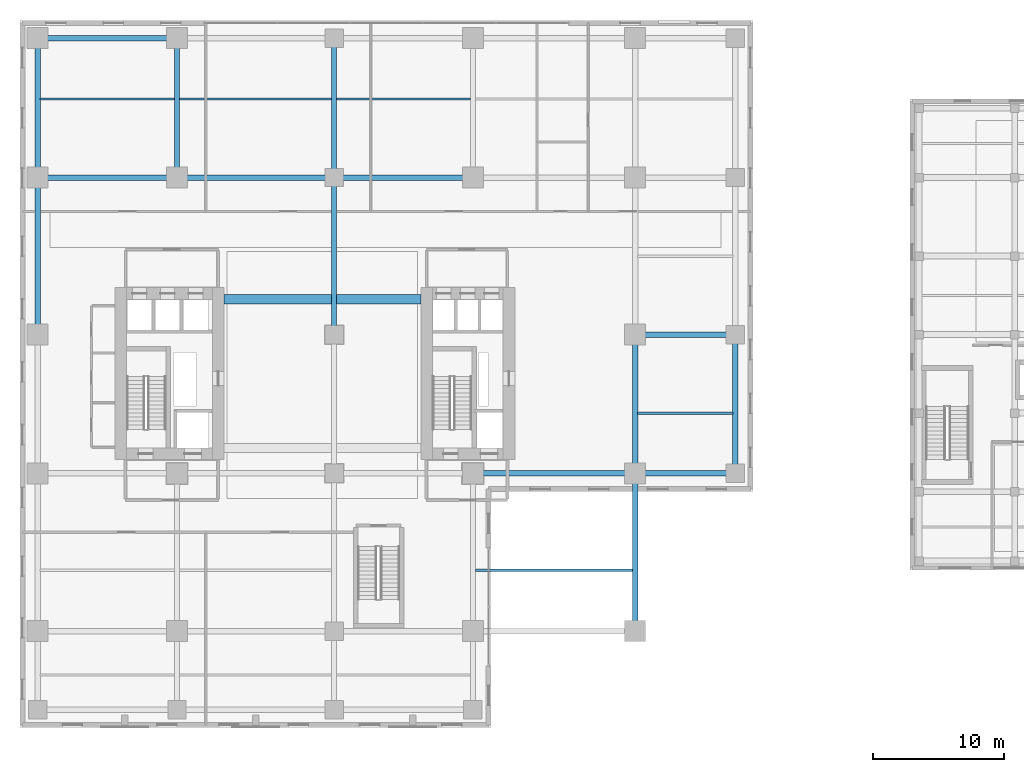
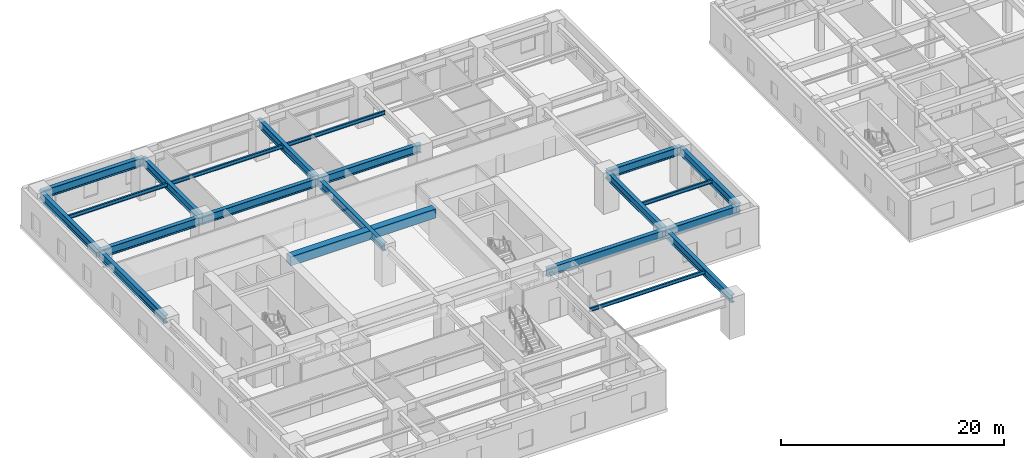
# One storey, part 4 of 28: 21 beams.
"""IFC4 building model written with IfcOpenShell, lengths in metres."""

from ifc_helpers import new_model, si_unit, direction, frame, origin, origin_2d, place, context, subcontext, project, spatial, rectangle, i_section, extrude, source, transform, mapped, material, material_profile, profile_set, type_object, element, save


model = new_model("IFC4")

# Units and contexts
model_context = context("Model", 3, precision=1e-05, world=origin(), true_north=direction((0.0, 1.0)))
body_context = subcontext(model_context, "Body", "Model", "MODEL_VIEW")
ifc_project = project(units=[si_unit("LENGTHUNIT", "METRE"), si_unit("AREAUNIT", "SQUARE_METRE"), si_unit("VOLUMEUNIT", "CUBIC_METRE"), si_unit("PLANEANGLEUNIT", "RADIAN"), si_unit("MASSUNIT", "GRAM", prefix="KILO")], contexts=[model_context])

# Site, building, storey
site_placement = place(None, origin())
site = spatial("IfcSite", under=ifc_project, at=site_placement, CompositionType="ELEMENT")
building_placement = place(site_placement, origin())
building = spatial("IfcBuilding", under=site, at=building_placement, Name="Khoralis Quay Care Tower", CompositionType="ELEMENT")
storey_placement = place(building_placement, frame((0.0, 0.0, 9.0)))
storey = spatial("IfcBuildingStorey", under=building, at=storey_placement, Name="L02", CompositionType="ELEMENT", Elevation=9.0)

# Beams
ifc_material_1 = material(Name="Concrete C80/95", Category="concrete")
ifc_material_profile_1 = material_profile(ifc_material_1, rectangle(XDim=0.699951171875, YDim=1.0, at=origin_2d()), Name="Concrete C80/95")
ifc_profile_set_1 = profile_set([ifc_material_profile_1], Name="Concrete C80/95")
beam_type_1 = type_object("IfcBeamType", Name="CB-RC700X1000", PredefinedType="LINTEL", material=ifc_profile_set_1)
shared_shape_1 = source(origin(), body_context, "Body", "SweptSolid", [
    extrude(rectangle(XDim=0.699951171875, YDim=1.0, at=origin_2d()), origin(), (0.0, 0.0, 1.0), 15.079833984375),
])
beam_1_placement = place(storey_placement, frame((15.570068359375, 26.699951171875, 3.659912109375), z_axis=(1.0, 0.0, 0.0), x_axis=(0.0, 1.0, 0.0)))
element("IfcBeam", 1, at=beam_1_placement, inside=storey, type_object=beam_type_1, Name="L02 North Core Coupling Lintel", PredefinedType="LINTEL", context=body_context, shape_type="MappedRepresentation", body=[
    mapped(shared_shape_1, transform((0.0, 0.0, 0.0), scale=1.0)),
])
ifc_material_2 = material(Name="Steel S355", Category="steel")
ifc_material_profile_2 = material_profile(ifc_material_2, i_section(OverallWidth=0.41796875, OverallDepth=0.912109375, WebThickness=0.019287109375, FlangeThickness=0.031982421875, FilletRadius=0.02392578125, at=origin_2d()), Name="Steel S355")
ifc_profile_set_2 = profile_set([ifc_material_profile_2], Name="Steel S355")
beam_type_2 = type_object("IfcBeamType", Name="BM-W920X342", PredefinedType="BEAM", material=ifc_profile_set_2)
shared_shape_2 = source(origin(), body_context, "Body", "SweptSolid", [
    extrude(i_section(OverallWidth=0.41796875, OverallDepth=0.912109375, WebThickness=0.019287109375, FlangeThickness=0.031982421875, FilletRadius=0.02392578125, at=origin_2d()), origin(), (0.0, 0.0, 1.0), 10.64990234375),
])
for number, where, z_axis, x_axis, name in (
    (2, (1.35009765625, 36.0, 3.7041015625), (1.0, 0.0, 0.0), (0.0, 1.0, 0.0), "BM-PODX-L02-14"),
    (3, (1.35009765625, 46.64990234375, 3.7041015625), (1.0, 0.0, 0.0), (0.0, 1.0, 0.0), "BM-PODX-L02-19"),
):
    element("IfcBeam", number, at=place(storey_placement, frame(where, z_axis=z_axis, x_axis=x_axis)), inside=storey, type_object=beam_type_2, Name=name, PredefinedType="BEAM", context=body_context, shape_type="MappedRepresentation", body=[
        mapped(shared_shape_2, transform((0.0, 0.0, 0.0), scale=1.0)),
    ])
shared_shape_3 = source(origin(), body_context, "Body", "SweptSolid", [
    extrude(i_section(OverallWidth=0.41796875, OverallDepth=0.912109375, WebThickness=0.019287109375, FlangeThickness=0.031982421875, FilletRadius=0.02392578125, at=origin_2d()), origin(), (0.0, 0.0, 1.0), 12.0),
])
beam_2_placement = place(storey_placement, frame((12.0, 36.0, 3.7041015625), z_axis=(1.0, 0.0, 0.0), x_axis=(0.0, 1.0, 0.0)))
element("IfcBeam", 4, at=beam_2_placement, inside=storey, type_object=beam_type_2, Name="BM-PODX-L02-15", PredefinedType="BEAM", context=body_context, shape_type="MappedRepresentation", body=[
    mapped(shared_shape_3, transform((0.0, 0.0, 0.0), scale=1.0)),
])
shared_shape_4 = source(origin(), body_context, "Body", "SweptSolid", [
    extrude(i_section(OverallWidth=0.41796875, OverallDepth=0.912109375, WebThickness=0.019287109375, FlangeThickness=0.031982421875, FilletRadius=0.02392578125, at=origin_2d()), origin(), (0.0, 0.0, 1.0), 10.60009765625),
])
beam_3_placement = place(storey_placement, frame((24.0, 36.0, 3.7041015625), z_axis=(1.0, 0.0, 0.0), x_axis=(0.0, 1.0, 0.0)))
element("IfcBeam", 5, at=beam_3_placement, inside=storey, type_object=beam_type_2, Name="BM-PODX-L02-16", PredefinedType="BEAM", context=body_context, shape_type="MappedRepresentation", body=[
    mapped(shared_shape_4, transform((0.0, 0.0, 0.0), scale=1.0)),
])
shared_shape_5 = source(origin(), body_context, "Body", "SweptSolid", [
    extrude(i_section(OverallWidth=0.41796875, OverallDepth=0.912109375, WebThickness=0.019287109375, FlangeThickness=0.031982421875, FilletRadius=0.02392578125, at=origin_2d()), origin(), (0.0, 0.0, 1.0), 12.39990234375),
])
beam_4_placement = place(storey_placement, frame((34.60009765625, 13.39990234375, 3.7041015625), z_axis=(1.0, 0.0, 0.0), x_axis=(0.0, 1.0, 0.0)))
element("IfcBeam", 6, at=beam_4_placement, inside=storey, type_object=beam_type_2, Name="BM-PODX-L02-11", PredefinedType="BEAM", context=body_context, shape_type="MappedRepresentation", body=[
    mapped(shared_shape_5, transform((0.0, 0.0, 0.0), scale=1.0)),
])
shared_shape_6 = source(origin(), body_context, "Body", "SweptSolid", [
    extrude(i_section(OverallWidth=0.41796875, OverallDepth=0.912109375, WebThickness=0.019287109375, FlangeThickness=0.031982421875, FilletRadius=0.02392578125, at=origin_2d()), origin(), (0.0, 0.0, 1.0), 7.64990234375),
])
for number, where, z_axis, x_axis, name in (
    (7, (47.0, 13.39990234375, 3.7041015625), (1.0, 0.0, 0.0), (0.0, 1.0, 0.0), "BM-PODX-L02-12"),
    (8, (47.0, 24.0, 3.7041015625), (1.0, 0.0, 0.0), (0.0, 1.0, 0.0), "BM-PODX-L02-13"),
):
    element("IfcBeam", number, at=place(storey_placement, frame(where, z_axis=z_axis, x_axis=x_axis)), inside=storey, type_object=beam_type_2, Name=name, PredefinedType="BEAM", context=body_context, shape_type="MappedRepresentation", body=[
        mapped(shared_shape_6, transform((0.0, 0.0, 0.0), scale=1.0)),
    ])
ifc_material_profile_3 = material_profile(ifc_material_2, i_section(OverallWidth=0.39990234375, OverallDepth=0.85498046875, WebThickness=0.018310546875, FlangeThickness=0.029296875, FilletRadius=0.02392578125, at=origin_2d()), Name="Steel S355")
ifc_profile_set_3 = profile_set([ifc_material_profile_3], Name="Steel S355")
beam_type_3 = type_object("IfcBeamType", Name="BM-W840X299", PredefinedType="BEAM", material=ifc_profile_set_3)
shared_shape_7 = source(origin(), body_context, "Body", "SweptSolid", [
    extrude(i_section(OverallWidth=0.39990234375, OverallDepth=0.85498046875, WebThickness=0.018310546875, FlangeThickness=0.029296875, FilletRadius=0.02392578125, at=origin_2d()), origin(), (0.0, 0.0, 1.0), 12.0498046875),
])
beam_5_placement = place(storey_placement, frame((47.0, 1.35009765625, 3.732421875), z_axis=(0.0, 1.0, 0.0), x_axis=(-1.0, 0.0, 0.0)))
element("IfcBeam", 9, at=beam_5_placement, inside=storey, type_object=beam_type_3, Name="BM-PODY-L02-40", PredefinedType="BEAM", context=body_context, shape_type="MappedRepresentation", body=[
    mapped(shared_shape_7, transform((0.0, 0.0, 0.0), scale=1.0)),
])
shared_shape_8 = source(origin(), body_context, "Body", "SweptSolid", [
    extrude(i_section(OverallWidth=0.39990234375, OverallDepth=0.85498046875, WebThickness=0.018310546875, FlangeThickness=0.029296875, FilletRadius=0.02392578125, at=origin_2d()), origin(), (0.0, 0.0, 1.0), 10.60009765625),
])
for number, where, z_axis, x_axis, name in (
    (10, (47.0, 13.39990234375, 3.732421875), (0.0, 1.0, 0.0), (-1.0, 0.0, 0.0), "BM-PODY-L02-41"),
    (11, (54.64990234375, 13.39990234375, 3.732421875), (0.0, 1.0, 0.0), (-1.0, 0.0, 0.0), "BM-PODY-L02-44"),
):
    element("IfcBeam", number, at=place(storey_placement, frame(where, z_axis=z_axis, x_axis=x_axis)), inside=storey, type_object=beam_type_3, Name=name, PredefinedType="BEAM", context=body_context, shape_type="MappedRepresentation", body=[
        mapped(shared_shape_8, transform((0.0, 0.0, 0.0), scale=1.0)),
    ])
shared_shape_9 = source(origin(), body_context, "Body", "SweptSolid", [
    extrude(i_section(OverallWidth=0.39990234375, OverallDepth=0.85498046875, WebThickness=0.018310546875, FlangeThickness=0.029296875, FilletRadius=0.02392578125, at=origin_2d()), origin(), (0.0, 0.0, 1.0), 12.0),
])
for number, where, z_axis, x_axis, name in (
    (12, (1.35009765625, 24.0, 3.732421875), (0.0, 1.0, 0.0), (-1.0, 0.0, 0.0), "BM-PODY-L02-27"),
    (13, (24.0, 24.0, 3.732421875), (0.0, 1.0, 0.0), (-1.0, 0.0, 0.0), "BM-PODY-L02-35"),
):
    element("IfcBeam", number, at=place(storey_placement, frame(where, z_axis=z_axis, x_axis=x_axis)), inside=storey, type_object=beam_type_3, Name=name, PredefinedType="BEAM", context=body_context, shape_type="MappedRepresentation", body=[
        mapped(shared_shape_9, transform((0.0, 0.0, 0.0), scale=1.0)),
    ])
shared_shape_10 = source(origin(), body_context, "Body", "SweptSolid", [
    extrude(i_section(OverallWidth=0.39990234375, OverallDepth=0.85498046875, WebThickness=0.018310546875, FlangeThickness=0.029296875, FilletRadius=0.02392578125, at=origin_2d()), origin(), (0.0, 0.0, 1.0), 10.64990234375),
])
for number, where, z_axis, x_axis, name in (
    (14, (1.35009765625, 36.0, 3.732421875), (0.0, 1.0, 0.0), (-1.0, 0.0, 0.0), "BM-PODY-L02-28"),
    (15, (12.0, 36.0, 3.732421875), (0.0, 1.0, 0.0), (-1.0, 0.0, 0.0), "BM-PODY-L02-31"),
    (16, (24.0, 36.0, 3.732421875), (0.0, 1.0, 0.0), (-1.0, 0.0, 0.0), "BM-PODY-L02-36"),
):
    element("IfcBeam", number, at=place(storey_placement, frame(where, z_axis=z_axis, x_axis=x_axis)), inside=storey, type_object=beam_type_3, Name=name, PredefinedType="BEAM", context=body_context, shape_type="MappedRepresentation", body=[
        mapped(shared_shape_10, transform((0.0, 0.0, 0.0), scale=1.0)),
    ])
ifc_material_profile_4 = material_profile(ifc_material_2, i_section(OverallWidth=0.177978515625, OverallDepth=0.406982421875, WebThickness=0.0078125, FlangeThickness=0.0126953125, FilletRadius=0.012939453125, at=origin_2d()), Name="Steel S355")
ifc_profile_set_4 = profile_set([ifc_material_profile_4], Name="Steel S355")
beam_type_4 = type_object("IfcBeamType", Name="BM-W410X60", PredefinedType="JOIST", material=ifc_profile_set_4)
shared_shape_11 = source(origin(), body_context, "Body", "SweptSolid", [
    extrude(i_section(OverallWidth=0.177978515625, OverallDepth=0.406982421875, WebThickness=0.0078125, FlangeThickness=0.0126953125, FilletRadius=0.012939453125, at=origin_2d()), origin(), (0.0, 0.0, 1.0), 10.27392578125),
])
beam_6_placement = place(storey_placement, frame((1.5380859375, 42.0, 3.95654296875), z_axis=(1.0, 0.0, 0.0), x_axis=(0.0, 1.0, 0.0)))
element("IfcBeam", 17, at=beam_6_placement, inside=storey, type_object=beam_type_4, Name="BM-PODJ-L02-55", PredefinedType="JOIST", context=body_context, shape_type="MappedRepresentation", body=[
    mapped(shared_shape_11, transform((0.0, 0.0, 0.0), scale=1.0)),
])
shared_shape_12 = source(origin(), body_context, "Body", "SweptSolid", [
    extrude(i_section(OverallWidth=0.177978515625, OverallDepth=0.406982421875, WebThickness=0.0078125, FlangeThickness=0.0126953125, FilletRadius=0.012939453125, at=origin_2d()), origin(), (0.0, 0.0, 1.0), 11.6240234375),
])
beam_7_placement = place(storey_placement, frame((12.18798828125, 42.0, 3.95654296875), z_axis=(1.0, 0.0, 0.0), x_axis=(0.0, 1.0, 0.0)))
element("IfcBeam", 18, at=beam_7_placement, inside=storey, type_object=beam_type_4, Name="BM-PODJ-L02-56", PredefinedType="JOIST", context=body_context, shape_type="MappedRepresentation", body=[
    mapped(shared_shape_12, transform((0.0, 0.0, 0.0), scale=1.0)),
])
shared_shape_13 = source(origin(), body_context, "Body", "SweptSolid", [
    extrude(i_section(OverallWidth=0.177978515625, OverallDepth=0.406982421875, WebThickness=0.0078125, FlangeThickness=0.0126953125, FilletRadius=0.012939453125, at=origin_2d()), origin(), (0.0, 0.0, 1.0), 10.22412109375),
])
beam_8_placement = place(storey_placement, frame((24.18798828125, 42.0, 3.95654296875), z_axis=(1.0, 0.0, 0.0), x_axis=(0.0, 1.0, 0.0)))
element("IfcBeam", 19, at=beam_8_placement, inside=storey, type_object=beam_type_4, Name="BM-PODJ-L02-57", PredefinedType="JOIST", context=body_context, shape_type="MappedRepresentation", body=[
    mapped(shared_shape_13, transform((0.0, 0.0, 0.0), scale=1.0)),
])
shared_shape_14 = source(origin(), body_context, "Body", "SweptSolid", [
    extrude(i_section(OverallWidth=0.177978515625, OverallDepth=0.406982421875, WebThickness=0.0078125, FlangeThickness=0.0126953125, FilletRadius=0.012939453125, at=origin_2d()), origin(), (0.0, 0.0, 1.0), 12.02392578125),
])
beam_9_placement = place(storey_placement, frame((34.7880859375, 6.0, 3.95654296875), z_axis=(1.0, 0.0, 0.0), x_axis=(0.0, 1.0, 0.0)))
element("IfcBeam", 20, at=beam_9_placement, inside=storey, type_object=beam_type_4, Name="BM-PODJ-L02-52", PredefinedType="JOIST", context=body_context, shape_type="MappedRepresentation", body=[
    mapped(shared_shape_14, transform((0.0, 0.0, 0.0), scale=1.0)),
])
shared_shape_15 = source(origin(), body_context, "Body", "SweptSolid", [
    extrude(i_section(OverallWidth=0.177978515625, OverallDepth=0.406982421875, WebThickness=0.0078125, FlangeThickness=0.0126953125, FilletRadius=0.012939453125, at=origin_2d()), origin(), (0.0, 0.0, 1.0), 7.27392578125),
])
beam_10_placement = place(storey_placement, frame((47.18798828125, 18.0, 3.95654296875), z_axis=(1.0, 0.0, 0.0), x_axis=(0.0, 1.0, 0.0)))
element("IfcBeam", 21, at=beam_10_placement, inside=storey, type_object=beam_type_4, Name="BM-PODJ-L02-53", PredefinedType="JOIST", context=body_context, shape_type="MappedRepresentation", body=[
    mapped(shared_shape_15, transform((0.0, 0.0, 0.0), scale=1.0)),
])

save(model, "model.ifc")
